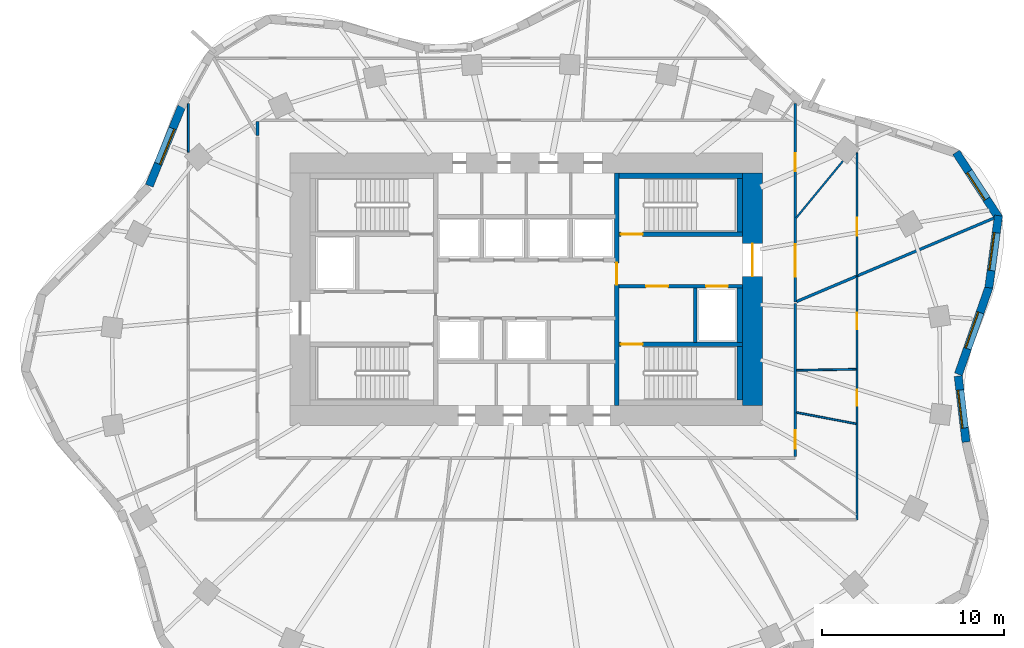
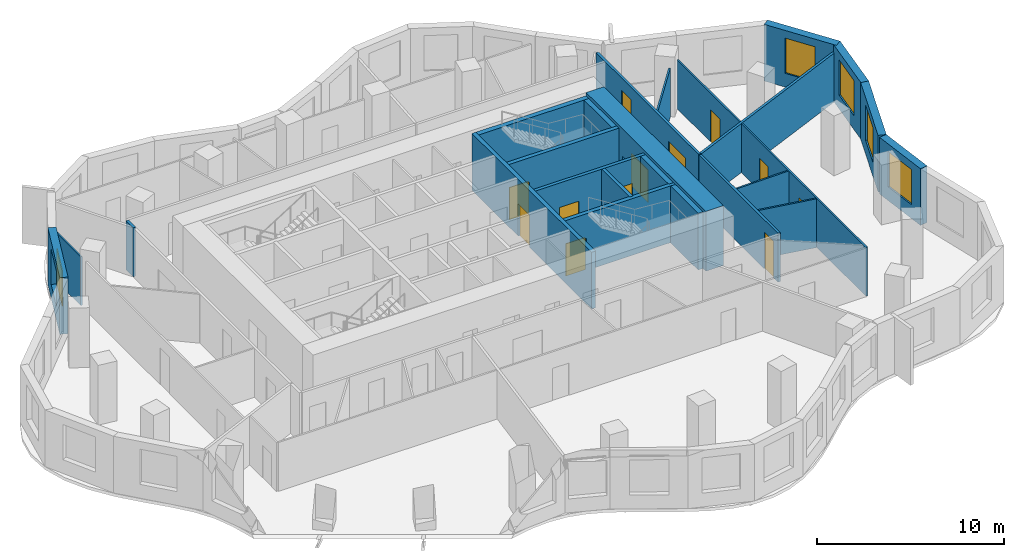
# One storey, part 6 of 9: 25 walls, 12 doors, 5 windows, 17 openings.
"""IFC4 building model written with IfcOpenShell, lengths in metres."""

from ifc_helpers import new_model, si_unit, direction, frame, frame_2d, origin, place, context, subcontext, project, spatial, rectangle, extrude, material, layer, layer_set, type_object, element, fill, save


model = new_model("IFC4")

# Units and contexts
model_context = context("Model", 3, precision=1e-05, world=origin(), true_north=direction((0.0, 1.0)))
body_context = subcontext(model_context, "Body", "Model", "MODEL_VIEW")
ifc_project = project(units=[si_unit("LENGTHUNIT", "METRE"), si_unit("AREAUNIT", "SQUARE_METRE"), si_unit("VOLUMEUNIT", "CUBIC_METRE"), si_unit("PLANEANGLEUNIT", "RADIAN"), si_unit("MASSUNIT", "GRAM", prefix="KILO")], contexts=[model_context])

# Site, building, storey
site_placement = place(None, origin())
site = spatial("IfcSite", under=ifc_project, at=site_placement, CompositionType="ELEMENT")
building_placement = place(site_placement, origin())
building = spatial("IfcBuilding", under=site, at=building_placement, Name="Rubra Terraces Tower", CompositionType="ELEMENT")
storey_placement = place(building_placement, frame((0.0, 0.0, 138.300048828125)))
storey = spatial("IfcBuildingStorey", under=building, at=storey_placement, Name="L33", CompositionType="ELEMENT", Elevation=138.300048828125)

# Wall, opening, window
ifc_material_1 = material(Name="Brick masonry red-brown", Category="masonry")
ifc_layer_1 = layer(ifc_material_1, 0.449951171875)
ifc_layer_set_1 = layer_set([ifc_layer_1], Name="Brick masonry red-brown")
wall_type_1 = type_object("IfcWallType", Name="Brick facade wall 450", PredefinedType="SOLIDWALL", material=ifc_layer_set_1)
wall_1_placement = place(storey_placement, frame((23.782470703125, -0.189208984375, 0.0), z_axis=(0.0, 0.0, 1.0), x_axis=(0.330794307703, 0.943702880144, 0.0)))
wall_1 = element("IfcWall", 1, at=wall_1_placement, inside=storey, type_object=wall_type_1, Name="Facade wall L33 bay 1", PredefinedType="SOLIDWALL", context=body_context, shape_type="SweptSolid", body=[
    extrude(rectangle(XDim=5.095458984375, YDim=0.449951171875, at=frame_2d((2.5478515625, 0.0))), origin(), (0.0, 0.0, 1.0), 3.699951171875),
])
opening_1_placement = place(wall_1_placement, frame((1.497802734375, 0.0, 0.89990234375)))
opening_1 = element("IfcOpeningElement", 2, at=opening_1_placement, cuts=wall_1, Name="Opening W1B", PredefinedType="OPENING", context=body_context, shape_type="SweptSolid", body=[
    extrude(rectangle(XDim=2.10009765625, YDim=2.300048828125, at=frame_2d((1.050048828125, 1.14990234375))), frame((0.0, 0.23486328125, 0.0), z_axis=(0.0, -1.0, 0.0), x_axis=(1.0, 0.0, 0.0)), (0.0, 0.0, 1.0), 0.469970703125),
])
ifc_material_2 = material(Name="Clear glass in aluminium frame", Category="aluminium")
window_type_1 = type_object("IfcWindowType", Name="Fixed deep-set window tall storey 2100 x 2300", PartitioningType="SINGLE_PANEL", PredefinedType="WINDOW", material=ifc_material_2)
window_1_placement = place(opening_1_placement, origin())
window_1 = element("IfcWindow", 3, at=window_1_placement, inside=storey, type_object=window_type_1, Name="Window L33 bay 1", OverallHeight=2.300048828125, OverallWidth=2.10009765625, PartitioningType="SINGLE_PANEL", PredefinedType="WINDOW", context=body_context, shape_type="SweptSolid", body=[
    extrude(rectangle(XDim=2.10009765625, YDim=2.300048828125, at=frame_2d((1.050048828125, 1.14990234375))), frame((0.0, 0.135009765625, 0.0), z_axis=(0.0, -1.0, 0.0), x_axis=(1.0, 0.0, 0.0)), (0.0, 0.0, 1.0), 0.06005859375),
])
fill(opening_1, window_1)

wall_2_placement = place(storey_placement, frame((25.457275390625, 4.57470703125, 0.0), z_axis=(0.0, 0.0, 1.0), x_axis=(0.132475046402, 0.991186340746, 0.0)))
wall_2 = element("IfcWall", 4, at=wall_2_placement, inside=storey, type_object=wall_type_1, Name="Facade wall L33 bay 2", PredefinedType="SOLIDWALL", context=body_context, shape_type="SweptSolid", body=[
    extrude(rectangle(XDim=4.006591796875, YDim=0.449951171875, at=frame_2d((2.00341796875, 0.0))), origin(), (0.0, 0.0, 1.0), 3.699951171875),
])
opening_2_placement = place(wall_2_placement, frame((0.953125, 0.0, 0.89990234375)))
opening_2 = element("IfcOpeningElement", 5, at=opening_2_placement, cuts=wall_2, Name="Opening W1B", PredefinedType="OPENING", context=body_context, shape_type="SweptSolid", body=[
    extrude(rectangle(XDim=2.10009765625, YDim=2.300048828125, at=frame_2d((1.050048828125, 1.14990234375))), frame((0.0, 0.23486328125, 0.0), z_axis=(0.0, -1.0, 0.0), x_axis=(1.0, 0.0, 0.0)), (0.0, 0.0, 1.0), 0.469970703125),
])
window_2_placement = place(opening_2_placement, origin())
window_2 = element("IfcWindow", 6, at=window_2_placement, inside=storey, type_object=window_type_1, Name="Window L33 bay 2", OverallHeight=2.300048828125, OverallWidth=2.10009765625, PartitioningType="SINGLE_PANEL", PredefinedType="WINDOW", context=body_context, shape_type="SweptSolid", body=[
    extrude(rectangle(XDim=2.10009765625, YDim=2.300048828125, at=frame_2d((1.050048828125, 1.14990234375))), frame((0.0, 0.135009765625, 0.0), z_axis=(0.0, -1.0, 0.0), x_axis=(1.0, 0.0, 0.0)), (0.0, 0.0, 1.0), 0.06005859375),
])
fill(opening_2, window_2)

wall_3_placement = place(storey_placement, frame((26.0224609375, 8.393310546875, 0.0), z_axis=(0.0, 0.0, 1.0), x_axis=(-0.545637310328, 0.838021435035, 0.0)))
wall_3 = element("IfcWall", 7, at=wall_3_placement, inside=storey, type_object=wall_type_1, Name="Facade wall L33 bay 3", PredefinedType="SOLIDWALL", context=body_context, shape_type="SweptSolid", body=[
    extrude(rectangle(XDim=4.336181640625, YDim=0.449951171875, at=frame_2d((2.16796875, 0.0))), origin(), (0.0, 0.0, 1.0), 3.699951171875),
])
opening_3_placement = place(wall_3_placement, frame((1.268310546875, 0.0, 0.89990234375)))
opening_3 = element("IfcOpeningElement", 8, at=opening_3_placement, cuts=wall_3, Name="Opening W6B", PredefinedType="OPENING", context=body_context, shape_type="SweptSolid", body=[
    extrude(rectangle(XDim=1.800048828125, YDim=2.300048828125, at=frame_2d((0.89990234375, 1.14990234375))), frame((0.0, 0.23486328125, 0.0), z_axis=(0.0, -1.0, 0.0), x_axis=(1.0, 0.0, 0.0)), (0.0, 0.0, 1.0), 0.469970703125),
])
window_type_2 = type_object("IfcWindowType", Name="Fixed deep-set window at wind fin tall storey 1800 x 2300", PartitioningType="SINGLE_PANEL", PredefinedType="WINDOW", material=ifc_material_2)
window_3_placement = place(opening_3_placement, origin())
window_3 = element("IfcWindow", 9, at=window_3_placement, inside=storey, type_object=window_type_2, Name="Window L33 bay 3", OverallHeight=2.300048828125, OverallWidth=1.800048828125, PartitioningType="SINGLE_PANEL", PredefinedType="WINDOW", context=body_context, shape_type="SweptSolid", body=[
    extrude(rectangle(XDim=1.800048828125, YDim=2.300048828125, at=frame_2d((0.89990234375, 1.14990234375))), frame((0.0, 0.135009765625, 0.0), z_axis=(0.0, -1.0, 0.0), x_axis=(1.0, 0.0, 0.0)), (0.0, 0.0, 1.0), 0.06005859375),
])
fill(opening_3, window_3)

wall_4_placement = place(storey_placement, frame((-18.97119140625, 14.548828125, 0.0), z_axis=(0.0, 0.0, 1.0), x_axis=(-0.378434936431, -0.925627894398, 0.0)))
wall_4 = element("IfcWall", 10, at=wall_4_placement, inside=storey, type_object=wall_type_1, Name="Facade wall L33 bay 17", PredefinedType="SOLIDWALL", context=body_context, shape_type="SweptSolid", body=[
    extrude(rectangle(XDim=4.70751953125, YDim=0.449951171875, at=frame_2d((2.353759765625, 0.0))), origin(), (0.0, 0.0, 1.0), 3.699951171875),
])
opening_4_placement = place(wall_4_placement, frame((1.3037109375, 0.0, 0.89990234375)))
opening_4 = element("IfcOpeningElement", 11, at=opening_4_placement, cuts=wall_4, Name="Opening W1B", PredefinedType="OPENING", context=body_context, shape_type="SweptSolid", body=[
    extrude(rectangle(XDim=2.10009765625, YDim=2.300048828125, at=frame_2d((1.050048828125, 1.14990234375))), frame((0.0, 0.23486328125, 0.0), z_axis=(0.0, -1.0, 0.0), x_axis=(1.0, 0.0, 0.0)), (0.0, 0.0, 1.0), 0.469970703125),
])
window_4_placement = place(opening_4_placement, origin())
window_4 = element("IfcWindow", 12, at=window_4_placement, inside=storey, type_object=window_type_1, Name="Window L33 bay 17", OverallHeight=2.300048828125, OverallWidth=2.10009765625, PartitioningType="SINGLE_PANEL", PredefinedType="WINDOW", context=body_context, shape_type="SweptSolid", body=[
    extrude(rectangle(XDim=2.10009765625, YDim=2.300048828125, at=frame_2d((1.050048828125, 1.14990234375))), frame((0.0, 0.135009765625, 0.0), z_axis=(0.0, -1.0, 0.0), x_axis=(1.0, 0.0, 0.0)), (0.0, 0.0, 1.0), 0.06005859375),
])
fill(opening_4, window_4)

wall_5_placement = place(storey_placement, frame((24.200927734375, -3.915283203125, 0.0), z_axis=(0.0, 0.0, 1.0), x_axis=(-0.117623597589, 0.993058250703, 0.0)))
wall_5 = element("IfcWall", 13, at=wall_5_placement, inside=storey, type_object=wall_type_1, Name="Facade wall L33 bay 40", PredefinedType="SOLIDWALL", context=body_context, shape_type="SweptSolid", body=[
    extrude(rectangle(XDim=3.6572265625, YDim=0.449951171875, at=frame_2d((1.82861328125, 0.0))), origin(), (0.0, 0.0, 1.0), 3.699951171875),
])
opening_5_placement = place(wall_5_placement, frame((0.77880859375, 0.0, 0.89990234375)))
opening_5 = element("IfcOpeningElement", 14, at=opening_5_placement, cuts=wall_5, Name="Opening W1B", PredefinedType="OPENING", context=body_context, shape_type="SweptSolid", body=[
    extrude(rectangle(XDim=2.10009765625, YDim=2.300048828125, at=frame_2d((1.050048828125, 1.14990234375))), frame((0.0, 0.23486328125, 0.0), z_axis=(0.0, -1.0, 0.0), x_axis=(1.0, 0.0, 0.0)), (0.0, 0.0, 1.0), 0.469970703125),
])
window_5_placement = place(opening_5_placement, origin())
window_5 = element("IfcWindow", 15, at=window_5_placement, inside=storey, type_object=window_type_1, Name="Window L33 bay 40", OverallHeight=2.300048828125, OverallWidth=2.10009765625, PartitioningType="SINGLE_PANEL", PredefinedType="WINDOW", context=body_context, shape_type="SweptSolid", body=[
    extrude(rectangle(XDim=2.10009765625, YDim=2.300048828125, at=frame_2d((1.050048828125, 1.14990234375))), frame((0.0, 0.135009765625, 0.0), z_axis=(0.0, -1.0, 0.0), x_axis=(1.0, 0.0, 0.0)), (0.0, 0.0, 1.0), 0.06005859375),
])
fill(opening_5, window_5)

# Wall, opening, door
ifc_material_3 = material(Name="Concrete C60", Category="concrete")
ifc_layer_2 = layer(ifc_material_3, 1.10009765625)
ifc_layer_set_2 = layer_set([ifc_layer_2], Name="Concrete C60")
wall_type_2 = type_object("IfcWallType", Name="CORE WALL 1100 C60", PredefinedType="SHEAR", material=ifc_layer_set_2)
wall_6_placement = place(storey_placement, frame((12.449951171875, -1.89990234375, 0.0), z_axis=(0.0, 0.0, 1.0), x_axis=(0.0, 1.0, 0.0)))
wall_6 = element("IfcWall", 16, at=wall_6_placement, inside=storey, type_object=wall_type_2, Name="CORE WALL E L33", PredefinedType="SHEAR", context=body_context, shape_type="SweptSolid", body=[
    extrude(rectangle(XDim=12.7998046875, YDim=1.10009765625, at=frame_2d((6.39990234375, 0.0))), origin(), (0.0, 0.0, 1.0), 3.89990234375),
])
opening_6_placement = place(wall_6_placement, frame((7.10009765625, 0.0, 0.0)))
opening_6 = element("IfcOpeningElement", 17, at=opening_6_placement, cuts=wall_6, Name="Opening L33.C02", PredefinedType="OPENING", context=body_context, shape_type="SweptSolid", body=[
    extrude(rectangle(XDim=1.800048828125, YDim=2.10009765625, at=frame_2d((0.89990234375, 1.050048828125))), frame((0.0, 0.56005859375, 0.0), z_axis=(0.0, -1.0, 0.0), x_axis=(1.0, 0.0, 0.0)), (0.0, 0.0, 1.0), 1.1201171875),
])
ifc_material_4 = material(Name="Painted steel", Category="steel")
door_type_1 = type_object("IfcDoorType", Name="Fire door 1800x2100 double", OperationType="NOTDEFINED", PredefinedType="DOOR", material=ifc_material_4)
door_1_placement = place(opening_6_placement, origin())
door_1 = element("IfcDoor", 18, at=door_1_placement, inside=storey, type_object=door_type_1, Name="Core entrance door FF2", OperationType="DOUBLE_DOOR_SINGLE_SWING", OverallHeight=2.10009765625, OverallWidth=1.800048828125, PredefinedType="DOOR", context=body_context, shape_type="SweptSolid", body=[
    extrude(rectangle(XDim=1.800048828125, YDim=2.10009765625, at=frame_2d((0.89990234375, 1.050048828125))), frame((0.0, 0.02490234375, 0.0), z_axis=(0.0, -1.0, 0.0), x_axis=(1.0, 0.0, 0.0)), (0.0, 0.0, 1.0), 0.050048828125),
])
fill(opening_6, door_1)

# Wall, openings, doors
ifc_material_5 = material(Name="Plasterboard on steel stud, mineral wool infill", Category="steel")
ifc_layer_3 = layer(ifc_material_5, 0.14990234375)
ifc_layer_set_3 = layer_set([ifc_layer_3], Name="Plasterboard on steel stud, mineral wool infill")
wall_type_3 = type_object("IfcWallType", Name="CORRIDOR PARTITION 150", PredefinedType="PARTITIONING", material=ifc_layer_set_3)
wall_7_placement = place(storey_placement, frame((14.800048828125, 3.78369140625, 0.0), z_axis=(0.0, 0.0, 1.0), x_axis=(0.0, 1.0, 0.0)))
wall_7 = element("IfcWall", 19, at=wall_7_placement, inside=storey, type_object=wall_type_3, Name="PARTITION", PredefinedType="PARTITIONING", context=body_context, shape_type="SweptSolid", body=[
    extrude(rectangle(XDim=10.943115234375, YDim=0.14990234375, at=frame_2d((5.4716796875, 0.0))), origin(), (0.0, 0.0, 1.0), 3.197998046875),
])
opening_7_placement = place(wall_7_placement, frame((1.386962890625, 0.0, 0.0)))
opening_7 = element("IfcOpeningElement", 20, at=opening_7_placement, cuts=wall_7, Name="Opening 33-101", PredefinedType="OPENING", context=body_context, shape_type="SweptSolid", body=[
    extrude(rectangle(XDim=1.800048828125, YDim=2.10009765625, at=frame_2d((0.89990234375, 1.050048828125))), frame((0.0, 0.0849609375, 0.0), z_axis=(0.0, -1.0, 0.0), x_axis=(1.0, 0.0, 0.0)), (0.0, 0.0, 1.0), 0.169921875),
])
opening_8_placement = place(wall_7_placement, frame((7.198974609375, 0.0, 0.0)))
opening_8 = element("IfcOpeningElement", 21, at=opening_8_placement, cuts=wall_7, Name="Opening 33-103", PredefinedType="OPENING", context=body_context, shape_type="SweptSolid", body=[
    extrude(rectangle(XDim=1.0, YDim=2.39990234375, at=frame_2d((0.5, 1.199951171875))), frame((0.0, 0.0849609375, 0.0), z_axis=(0.0, -1.0, 0.0), x_axis=(1.0, 0.0, 0.0)), (0.0, 0.0, 1.0), 0.169921875),
])
ifc_material_6 = material(Name="Glazed aluminium meeting door leaf", Category="aluminium")
door_type_2 = type_object("IfcDoorType", Name="MEETING ROOM GLAZED DOOR 1000 X 2400", OperationType="SINGLE_SWING_LEFT", PredefinedType="DOOR", material=ifc_material_6)
door_2_placement = place(opening_8_placement, origin())
door_2 = element("IfcDoor", 22, at=door_2_placement, inside=storey, type_object=door_type_2, Name="DOOR 33-103", OperationType="SINGLE_SWING_RIGHT", OverallHeight=2.39990234375, OverallWidth=1.0, PredefinedType="DOOR", context=body_context, shape_type="SweptSolid", body=[
    extrude(rectangle(XDim=1.0, YDim=2.39990234375, at=frame_2d((0.5, 1.199951171875))), frame((0.0, 0.02490234375, 0.0), z_axis=(0.0, -1.0, 0.0), x_axis=(1.0, 0.0, 0.0)), (0.0, 0.0, 1.0), 0.050048828125),
])
fill(opening_8, door_2)
ifc_material_7 = material(Name="Painted timber door leaf, double", Category="wood")
door_type_3 = type_object("IfcDoorType", Name="ROOM DOUBLE DOOR 1800 X 2100", OperationType="DOUBLE_DOOR_SINGLE_SWING", PredefinedType="DOOR", material=ifc_material_7)
door_3_placement = place(opening_7_placement, origin())
door_3 = element("IfcDoor", 23, at=door_3_placement, inside=storey, type_object=door_type_3, Name="DOOR 33-101", OperationType="DOUBLE_DOOR_SINGLE_SWING", OverallHeight=2.10009765625, OverallWidth=1.800048828125, PredefinedType="DOOR", context=body_context, shape_type="SweptSolid", body=[
    extrude(rectangle(XDim=1.800048828125, YDim=2.10009765625, at=frame_2d((0.89990234375, 1.050048828125))), frame((0.0, 0.02490234375, 0.0), z_axis=(0.0, -1.0, 0.0), x_axis=(1.0, 0.0, 0.0)), (0.0, 0.0, 1.0), 0.050048828125),
])
fill(opening_7, door_3)

# Wall
wall_8_placement = place(storey_placement, frame((-14.800048828125, 13.72509765625, 0.0), z_axis=(0.0, 0.0, 1.0), x_axis=(0.0, -1.0, 0.0)))
element("IfcWall", 24, at=wall_8_placement, inside=storey, type_object=wall_type_3, Name="PARTITION", PredefinedType="PARTITIONING", context=body_context, shape_type="SweptSolid", body=[
    extrude(rectangle(XDim=0.7685546875, YDim=0.14990234375, at=frame_2d((0.38427734375, 0.0))), origin(), (0.0, 0.0, 1.0), 3.197998046875),
])

# Wall, opening, door
wall_9_placement = place(storey_placement, frame((14.800048828125, -4.72509765625, 0.0), z_axis=(0.0, 0.0, 1.0), x_axis=(0.0, 1.0, 0.0)))
wall_9 = element("IfcWall", 25, at=wall_9_placement, inside=storey, type_object=wall_type_3, Name="PARTITION", PredefinedType="PARTITIONING", context=body_context, shape_type="SweptSolid", body=[
    extrude(rectangle(XDim=8.433837890625, YDim=0.14990234375, at=frame_2d((4.216796875, 0.0))), origin(), (0.0, 0.0, 1.0), 3.197998046875),
])
opening_9_placement = place(wall_9_placement, frame((0.449951171875, 0.0, 0.0)))
opening_9 = element("IfcOpeningElement", 26, at=opening_9_placement, cuts=wall_9, Name="Opening 33-121", PredefinedType="OPENING", context=body_context, shape_type="SweptSolid", body=[
    extrude(rectangle(XDim=1.0, YDim=2.39990234375, at=frame_2d((0.5, 1.199951171875))), frame((0.0, 0.0849609375, 0.0), z_axis=(0.0, -1.0, 0.0), x_axis=(1.0, 0.0, 0.0)), (0.0, 0.0, 1.0), 0.169921875),
])
door_4_placement = place(opening_9_placement, origin())
door_4 = element("IfcDoor", 27, at=door_4_placement, inside=storey, type_object=door_type_2, Name="DOOR 33-121", OperationType="SINGLE_SWING_RIGHT", OverallHeight=2.39990234375, OverallWidth=1.0, PredefinedType="DOOR", context=body_context, shape_type="SweptSolid", body=[
    extrude(rectangle(XDim=1.0, YDim=2.39990234375, at=frame_2d((0.5, 1.199951171875))), frame((0.0, 0.02490234375, 0.0), z_axis=(0.0, -1.0, 0.0), x_axis=(1.0, 0.0, 0.0)), (0.0, 0.0, 1.0), 0.050048828125),
])
fill(opening_9, door_4)

# Walls
ifc_material_8 = material(Name="Concrete C40", Category="concrete")
ifc_layer_4 = layer(ifc_material_8, 0.300048828125)
ifc_layer_set_4 = layer_set([ifc_layer_4], Name="Concrete C40")
wall_type_4 = type_object("IfcWallType", Name="Core lining wall 300 concrete", PredefinedType="SOLIDWALL", material=ifc_layer_set_4)
wall_10_placement = place(storey_placement, frame((11.89990234375, 10.75, 0.0), z_axis=(0.0, 0.0, 1.0), x_axis=(-1.0, 0.0, 0.0)))
element("IfcWall", 28, at=wall_10_placement, inside=storey, type_object=wall_type_4, Name="CORE LINING WALL L33", PredefinedType="SOLIDWALL", context=body_context, shape_type="SweptSolid", body=[
    extrude(rectangle(XDim=6.7998046875, YDim=0.300048828125, at=frame_2d((3.39990234375, 0.0))), origin(), (0.0, 0.0, 1.0), 3.699951171875),
])
wall_11_placement = place(storey_placement, frame((11.75, 10.60009765625, 0.0), z_axis=(0.0, 0.0, 1.0), x_axis=(0.0, -1.0, 0.0)))
element("IfcWall", 29, at=wall_11_placement, inside=storey, type_object=wall_type_4, Name="CORE LINING WALL L33", PredefinedType="SOLIDWALL", context=body_context, shape_type="SweptSolid", body=[
    extrude(rectangle(XDim=2.9501953125, YDim=0.300048828125, at=frame_2d((1.47509765625, 0.0))), origin(), (0.0, 0.0, 1.0), 3.699951171875),
])
wall_12_placement = place(storey_placement, frame((11.75, 4.550048828125, 0.0), z_axis=(0.0, 0.0, 1.0), x_axis=(0.0, -1.0, 0.0)))
element("IfcWall", 30, at=wall_12_placement, inside=storey, type_object=wall_type_4, Name="CORE LINING WALL L33", PredefinedType="SOLIDWALL", context=body_context, shape_type="SweptSolid", body=[
    extrude(rectangle(XDim=3.0, YDim=0.300048828125, at=frame_2d((1.5, 0.0))), origin(), (0.0, 0.0, 1.0), 3.699951171875),
])
wall_13_placement = place(storey_placement, frame((11.75, 1.35009765625, 0.0), z_axis=(0.0, 0.0, 1.0), x_axis=(0.0, -1.0, 0.0)))
element("IfcWall", 31, at=wall_13_placement, inside=storey, type_object=wall_type_4, Name="CORE LINING WALL L33", PredefinedType="SOLIDWALL", context=body_context, shape_type="SweptSolid", body=[
    extrude(rectangle(XDim=2.9501953125, YDim=0.300048828125, at=frame_2d((1.47509765625, 0.0))), origin(), (0.0, 0.0, 1.0), 3.699951171875),
])

# Wall, openings, doors
ifc_material_9 = material(Name="Concrete C30", Category="concrete")
ifc_layer_5 = layer(ifc_material_9, 0.199951171875)
ifc_layer_set_5 = layer_set([ifc_layer_5], Name="Concrete C30")
wall_type_5 = type_object("IfcWallType", Name="Core wall 200 concrete", PredefinedType="SOLIDWALL", material=ifc_layer_set_5)
wall_14_placement = place(storey_placement, frame((11.89990234375, 4.64990234375, 0.0), z_axis=(0.0, 0.0, 1.0), x_axis=(-1.0, 0.0, 0.0)))
wall_14 = element("IfcWall", 32, at=wall_14_placement, inside=storey, type_object=wall_type_5, Name="STAIR WALL L33", PredefinedType="SOLIDWALL", context=body_context, shape_type="SweptSolid", body=[
    extrude(rectangle(XDim=6.7998046875, YDim=0.199951171875, at=frame_2d((3.39990234375, 0.0))), origin(), (0.0, 0.0, 1.0), 3.699951171875),
])
opening_10_placement = place(wall_14_placement, frame((4.10009765625, 0.0, 0.0)))
opening_10 = element("IfcOpeningElement", 33, at=opening_10_placement, cuts=wall_14, Name="Opening L33.C06", PredefinedType="OPENING", context=body_context, shape_type="SweptSolid", body=[
    extrude(rectangle(XDim=1.199951171875, YDim=2.10009765625, at=frame_2d((0.60009765625, 1.050048828125))), frame((0.0, 0.10986328125, 0.0), z_axis=(0.0, -1.0, 0.0), x_axis=(1.0, 0.0, 0.0)), (0.0, 0.0, 1.0), 0.219970703125),
])
opening_11_placement = place(wall_14_placement, frame((0.800048828125, 0.0, 0.0)))
opening_11 = element("IfcOpeningElement", 34, at=opening_11_placement, cuts=wall_14, Name="Opening L33.C12", PredefinedType="OPENING", context=body_context, shape_type="SweptSolid", body=[
    extrude(rectangle(XDim=1.199951171875, YDim=2.10009765625, at=frame_2d((0.60009765625, 1.050048828125))), frame((0.0, 0.10986328125, 0.0), z_axis=(0.0, -1.0, 0.0), x_axis=(1.0, 0.0, 0.0)), (0.0, 0.0, 1.0), 0.219970703125),
])
door_type_4 = type_object("IfcDoorType", Name="Fire door 1200x2100 single", OperationType="NOTDEFINED", PredefinedType="DOOR", material=ifc_material_4)
door_5_placement = place(opening_10_placement, origin())
door_5 = element("IfcDoor", 35, at=door_5_placement, inside=storey, type_object=door_type_4, Name="Stair vestibule door S4", OperationType="SINGLE_SWING_RIGHT", OverallHeight=2.10009765625, OverallWidth=1.199951171875, PredefinedType="DOOR", context=body_context, shape_type="SweptSolid", body=[
    extrude(rectangle(XDim=1.199951171875, YDim=2.10009765625, at=frame_2d((0.60009765625, 1.050048828125))), frame((0.0, 0.02490234375, 0.0), z_axis=(0.0, -1.0, 0.0), x_axis=(1.0, 0.0, 0.0)), (0.0, 0.0, 1.0), 0.050048828125),
])
fill(opening_10, door_5)
ifc_material_10 = material(Name="Stainless steel", Category="steel")
door_type_5 = type_object("IfcDoorType", Name="Lift landing door 1200x2100", OperationType="NOTDEFINED", PredefinedType="DOOR", material=ifc_material_10)
door_6_placement = place(opening_11_placement, origin())
door_6 = element("IfcDoor", 36, at=door_6_placement, inside=storey, type_object=door_type_5, Name="Landing door FF2", OperationType="SLIDING_TO_RIGHT", OverallHeight=2.10009765625, OverallWidth=1.199951171875, PredefinedType="DOOR", context=body_context, shape_type="SweptSolid", body=[
    extrude(rectangle(XDim=1.199951171875, YDim=2.10009765625, at=frame_2d((0.60009765625, 1.050048828125))), frame((0.0, 0.02490234375, 0.0), z_axis=(0.0, -1.0, 0.0), x_axis=(1.0, 0.0, 0.0)), (0.0, 0.0, 1.0), 0.050048828125),
])
fill(opening_11, door_6)

# Wall
wall_15_placement = place(storey_placement, frame((9.300048828125, 4.550048828125, 0.0), z_axis=(0.0, 0.0, 1.0), x_axis=(0.0, -1.0, 0.0)))
element("IfcWall", 37, at=wall_15_placement, inside=storey, type_object=wall_type_5, Name="STAIR WALL L33", PredefinedType="SOLIDWALL", context=body_context, shape_type="SweptSolid", body=[
    extrude(rectangle(XDim=3.0, YDim=0.199951171875, at=frame_2d((1.5, 0.0))), origin(), (0.0, 0.0, 1.0), 3.699951171875),
])

# Wall, opening, door
ifc_material_11 = material(Name="Plasterboard on steel stud", Category="steel")
ifc_layer_6 = layer(ifc_material_11, 0.10009765625)
ifc_layer_set_6 = layer_set([ifc_layer_6], Name="Plasterboard on steel stud")
wall_type_6 = type_object("IfcWallType", Name="ROOM PARTITION 100", PredefinedType="PARTITIONING", material=ifc_layer_set_6)
wall_16_placement = place(storey_placement, frame((18.199951171875, 12.00146484375, 0.0), z_axis=(0.0, 0.0, 1.0), x_axis=(0.0, -1.0, 0.0)))
wall_16 = element("IfcWall", 38, at=wall_16_placement, inside=storey, type_object=wall_type_6, Name="PARTITION", PredefinedType="PARTITIONING", context=body_context, shape_type="SweptSolid", body=[
    extrude(rectangle(XDim=6.758544921875, YDim=0.10009765625, at=frame_2d((3.37939453125, 0.0))), origin(), (0.0, 0.0, 1.0), 3.183837890625),
])
opening_12_placement = place(wall_16_placement, frame((3.573974609375, 0.0, 0.0)))
opening_12 = element("IfcOpeningElement", 39, at=opening_12_placement, cuts=wall_16, Name="Opening 33-102", PredefinedType="OPENING", context=body_context, shape_type="SweptSolid", body=[
    extrude(rectangle(XDim=1.0, YDim=2.10009765625, at=frame_2d((0.5, 1.050048828125))), frame((0.0, 0.06005859375, 0.0), z_axis=(0.0, -1.0, 0.0), x_axis=(1.0, 0.0, 0.0)), (0.0, 0.0, 1.0), 0.1201171875),
])
ifc_material_12 = material(Name="Painted timber door leaf", Category="wood")
door_type_6 = type_object("IfcDoorType", Name="ROOM DOOR 1000 X 2100", OperationType="SINGLE_SWING_LEFT", PredefinedType="DOOR", material=ifc_material_12)
door_7_placement = place(opening_12_placement, origin())
door_7 = element("IfcDoor", 40, at=door_7_placement, inside=storey, type_object=door_type_6, Name="DOOR 33-102", OperationType="SINGLE_SWING_LEFT", OverallHeight=2.10009765625, OverallWidth=1.0, PredefinedType="DOOR", context=body_context, shape_type="SweptSolid", body=[
    extrude(rectangle(XDim=1.0, YDim=2.10009765625, at=frame_2d((0.5, 1.050048828125))), frame((0.0, 0.02490234375, 0.0), z_axis=(0.0, -1.0, 0.0), x_axis=(1.0, 0.0, 0.0)), (0.0, 0.0, 1.0), 0.050048828125),
])
fill(opening_12, door_7)

# Walls
wall_17_placement = place(storey_placement, frame((14.84765625, 8.415283203125, 0.0), z_axis=(0.0, 0.0, 1.0), x_axis=(0.63542004032, 0.77216667395, 0.0)))
element("IfcWall", 41, at=wall_17_placement, inside=storey, type_object=wall_type_6, Name="PARTITION", PredefinedType="PARTITIONING", context=body_context, shape_type="SweptSolid", body=[
    extrude(rectangle(XDim=4.052734375, YDim=0.10009765625, at=frame_2d((2.0263671875, 0.0))), origin(), (0.0, 0.0, 1.0), 3.183837890625),
])
wall_18_placement = place(storey_placement, frame((-18.60009765625, 12.036865234375, 0.0), z_axis=(0.0, 0.0, 1.0), x_axis=(0.0, 1.0, 0.0)))
element("IfcWall", 42, at=wall_18_placement, inside=storey, type_object=wall_type_6, Name="PARTITION", PredefinedType="PARTITIONING", context=body_context, shape_type="SweptSolid", body=[
    extrude(rectangle(XDim=2.672119140625, YDim=0.10009765625, at=frame_2d((1.3359375, 0.0))), origin(), (0.0, 0.0, 1.0), 3.183837890625),
])

# Wall, openings, doors
wall_19_placement = place(storey_placement, frame((18.199951171875, 5.199462890625, 0.0), z_axis=(0.0, 0.0, 1.0), x_axis=(0.0, -1.0, 0.0)))
wall_19 = element("IfcWall", 43, at=wall_19_placement, inside=storey, type_object=wall_type_6, Name="PARTITION", PredefinedType="PARTITIONING", context=body_context, shape_type="SweptSolid", body=[
    extrude(rectangle(XDim=13.3994140625, YDim=0.10009765625, at=frame_2d((6.69970703125, 0.0))), origin(), (0.0, 0.0, 1.0), 3.183837890625),
])
opening_13_placement = place(wall_19_placement, frame((6.22705078125, 0.0, 0.0)))
opening_13 = element("IfcOpeningElement", 44, at=opening_13_placement, cuts=wall_19, Name="Opening 33-122", PredefinedType="OPENING", context=body_context, shape_type="SweptSolid", body=[
    extrude(rectangle(XDim=0.89990234375, YDim=2.10009765625, at=frame_2d((0.449951171875, 1.050048828125))), frame((0.0, 0.06005859375, 0.0), z_axis=(0.0, -1.0, 0.0), x_axis=(1.0, 0.0, 0.0)), (0.0, 0.0, 1.0), 0.1201171875),
])
opening_14_placement = place(wall_19_placement, frame((2.007080078125, 0.0, 0.0)))
opening_14 = element("IfcOpeningElement", 45, at=opening_14_placement, cuts=wall_19, Name="Opening 33-123", PredefinedType="OPENING", context=body_context, shape_type="SweptSolid", body=[
    extrude(rectangle(XDim=0.89990234375, YDim=2.10009765625, at=frame_2d((0.449951171875, 1.050048828125))), frame((0.0, 0.06005859375, 0.0), z_axis=(0.0, -1.0, 0.0), x_axis=(1.0, 0.0, 0.0)), (0.0, 0.0, 1.0), 0.1201171875),
])
door_type_7 = type_object("IfcDoorType", Name="ROOM DOOR 900 X 2100", OperationType="SINGLE_SWING_LEFT", PredefinedType="DOOR", material=ifc_material_12)
door_8_placement = place(opening_13_placement, origin())
door_8 = element("IfcDoor", 46, at=door_8_placement, inside=storey, type_object=door_type_7, Name="DOOR 33-122", OperationType="SINGLE_SWING_LEFT", OverallHeight=2.10009765625, OverallWidth=0.89990234375, PredefinedType="DOOR", context=body_context, shape_type="SweptSolid", body=[
    extrude(rectangle(XDim=0.89990234375, YDim=2.10009765625, at=frame_2d((0.449951171875, 1.050048828125))), frame((0.0, 0.02490234375, 0.0), z_axis=(0.0, -1.0, 0.0), x_axis=(1.0, 0.0, 0.0)), (0.0, 0.0, 1.0), 0.050048828125),
])
fill(opening_13, door_8)
door_9_placement = place(opening_14_placement, origin())
door_9 = element("IfcDoor", 47, at=door_9_placement, inside=storey, type_object=door_type_7, Name="DOOR 33-123", OperationType="SINGLE_SWING_LEFT", OverallHeight=2.10009765625, OverallWidth=0.89990234375, PredefinedType="DOOR", context=body_context, shape_type="SweptSolid", body=[
    extrude(rectangle(XDim=0.89990234375, YDim=2.10009765625, at=frame_2d((0.449951171875, 1.050048828125))), frame((0.0, 0.02490234375, 0.0), z_axis=(0.0, -1.0, 0.0), x_axis=(1.0, 0.0, 0.0)), (0.0, 0.0, 1.0), 0.050048828125),
])
fill(opening_14, door_9)

# Walls
wall_20_placement = place(storey_placement, frame((14.873779296875, -2.289794921875, 0.0), z_axis=(0.0, 0.0, 1.0), x_axis=(0.982563379302, -0.185927958238, 0.0)))
element("IfcWall", 48, at=wall_20_placement, inside=storey, type_object=wall_type_6, Name="PARTITION", PredefinedType="PARTITIONING", context=body_context, shape_type="SweptSolid", body=[
    extrude(rectangle(XDim=3.335205078125, YDim=0.10009765625, at=frame_2d((1.66748046875, 0.0))), origin(), (0.0, 0.0, 1.0), 3.183837890625),
])
wall_21_placement = place(storey_placement, frame((14.875, 0.033203125, 0.0), z_axis=(0.0, 0.0, 1.0), x_axis=(0.999856843244, 0.016920195573, 0.0)))
element("IfcWall", 49, at=wall_21_placement, inside=storey, type_object=wall_type_6, Name="PARTITION", PredefinedType="PARTITIONING", context=body_context, shape_type="SweptSolid", body=[
    extrude(rectangle(XDim=3.275390625, YDim=0.10009765625, at=frame_2d((1.6376953125, 0.0))), origin(), (0.0, 0.0, 1.0), 3.183837890625),
])
ifc_layer_7 = layer(ifc_material_11, 0.14990234375)
ifc_layer_set_7 = layer_set([ifc_layer_7], Name="Plasterboard on steel stud")
wall_type_7 = type_object("IfcWallType", Name="ROOM PARTITION 150", PredefinedType="PARTITIONING", material=ifc_layer_set_7)
wall_22_placement = place(storey_placement, frame((25.738525390625, 8.408447265625, 0.0), z_axis=(0.0, 0.0, 1.0), x_axis=(-0.921062306608, -0.389415237692, 0.0)))
element("IfcWall", 50, at=wall_22_placement, inside=storey, type_object=wall_type_7, Name="PARTITION", PredefinedType="PARTITIONING", context=body_context, shape_type="SweptSolid", body=[
    extrude(rectangle(XDim=11.801025390625, YDim=0.14990234375, at=frame_2d((5.900390625, 0.0))), origin(), (0.0, 0.0, 1.0), 3.197998046875),
])

# Wall, opening, door
ifc_layer_8 = layer(ifc_material_8, 0.25)
ifc_layer_set_8 = layer_set([ifc_layer_8], Name="Concrete C40")
wall_type_8 = type_object("IfcWallType", Name="Stair enclosure wall 250 concrete", PredefinedType="SOLIDWALL", material=ifc_layer_set_8)
wall_23_placement = place(storey_placement, frame((11.89990234375, 7.52490234375, 0.0), z_axis=(0.0, 0.0, 1.0), x_axis=(-1.0, 0.0, 0.0)))
wall_23 = element("IfcWall", 51, at=wall_23_placement, inside=storey, type_object=wall_type_8, Name="STAIR WALL L33", PredefinedType="SOLIDWALL", context=body_context, shape_type="SweptSolid", body=[
    extrude(rectangle(XDim=6.7998046875, YDim=0.25, at=frame_2d((3.39990234375, 0.0))), origin(), (0.0, 0.0, 1.0), 3.699951171875),
])
opening_15_placement = place(wall_23_placement, frame((5.5, 0.0, 0.0)))
opening_15 = element("IfcOpeningElement", 52, at=opening_15_placement, cuts=wall_23, Name="Opening L33.C08", PredefinedType="OPENING", context=body_context, shape_type="SweptSolid", body=[
    extrude(rectangle(XDim=1.199951171875, YDim=2.10009765625, at=frame_2d((0.60009765625, 1.050048828125))), frame((0.0, 0.135009765625, 0.0), z_axis=(0.0, -1.0, 0.0), x_axis=(1.0, 0.0, 0.0)), (0.0, 0.0, 1.0), 0.27001953125),
])
door_10_placement = place(opening_15_placement, origin())
door_10 = element("IfcDoor", 53, at=door_10_placement, inside=storey, type_object=door_type_4, Name="Stair door S3", OperationType="SINGLE_SWING_RIGHT", OverallHeight=2.10009765625, OverallWidth=1.199951171875, PredefinedType="DOOR", context=body_context, shape_type="SweptSolid", body=[
    extrude(rectangle(XDim=1.199951171875, YDim=2.10009765625, at=frame_2d((0.60009765625, 1.050048828125))), frame((0.0, 0.02490234375, 0.0), z_axis=(0.0, -1.0, 0.0), x_axis=(1.0, 0.0, 0.0)), (0.0, 0.0, 1.0), 0.050048828125),
])
fill(opening_15, door_10)

wall_24_placement = place(storey_placement, frame((11.89990234375, 1.47509765625, 0.0), z_axis=(0.0, 0.0, 1.0), x_axis=(-1.0, 0.0, 0.0)))
wall_24 = element("IfcWall", 54, at=wall_24_placement, inside=storey, type_object=wall_type_8, Name="STAIR WALL L33", PredefinedType="SOLIDWALL", context=body_context, shape_type="SweptSolid", body=[
    extrude(rectangle(XDim=6.7998046875, YDim=0.25, at=frame_2d((3.39990234375, 0.0))), origin(), (0.0, 0.0, 1.0), 3.699951171875),
])
opening_16_placement = place(wall_24_placement, frame((5.5, 0.0, 0.0)))
opening_16 = element("IfcOpeningElement", 55, at=opening_16_placement, cuts=wall_24, Name="Opening L33.C10", PredefinedType="OPENING", context=body_context, shape_type="SweptSolid", body=[
    extrude(rectangle(XDim=1.199951171875, YDim=2.10009765625, at=frame_2d((0.60009765625, 1.050048828125))), frame((0.0, 0.135009765625, 0.0), z_axis=(0.0, -1.0, 0.0), x_axis=(1.0, 0.0, 0.0)), (0.0, 0.0, 1.0), 0.27001953125),
])
door_11_placement = place(opening_16_placement, origin())
door_11 = element("IfcDoor", 56, at=door_11_placement, inside=storey, type_object=door_type_4, Name="Stair door S4", OperationType="SINGLE_SWING_RIGHT", OverallHeight=2.10009765625, OverallWidth=1.199951171875, PredefinedType="DOOR", context=body_context, shape_type="SweptSolid", body=[
    extrude(rectangle(XDim=1.199951171875, YDim=2.10009765625, at=frame_2d((0.60009765625, 1.050048828125))), frame((0.0, 0.02490234375, 0.0), z_axis=(0.0, -1.0, 0.0), x_axis=(1.0, 0.0, 0.0)), (0.0, 0.0, 1.0), 0.050048828125),
])
fill(opening_16, door_11)

wall_25_placement = place(storey_placement, frame((4.97509765625, 10.89990234375, 0.0), z_axis=(0.0, 0.0, 1.0), x_axis=(0.0, -1.0, 0.0)))
wall_25 = element("IfcWall", 57, at=wall_25_placement, inside=storey, type_object=wall_type_8, Name="CORE LOBBY WALL L33", PredefinedType="SOLIDWALL", context=body_context, shape_type="SweptSolid", body=[
    extrude(rectangle(XDim=12.7998046875, YDim=0.25, at=frame_2d((6.39990234375, 0.0))), origin(), (0.0, 0.0, 1.0), 3.699951171875),
])
opening_17_placement = place(wall_25_placement, frame((4.949951171875, 0.0, 0.0)))
opening_17 = element("IfcOpeningElement", 58, at=opening_17_placement, cuts=wall_25, Name="Opening L33.C04", PredefinedType="OPENING", context=body_context, shape_type="SweptSolid", body=[
    extrude(rectangle(XDim=1.199951171875, YDim=2.10009765625, at=frame_2d((0.60009765625, 1.050048828125))), frame((0.0, 0.135009765625, 0.0), z_axis=(0.0, -1.0, 0.0), x_axis=(1.0, 0.0, 0.0)), (0.0, 0.0, 1.0), 0.27001953125),
])
door_12_placement = place(opening_17_placement, origin())
door_12 = element("IfcDoor", 59, at=door_12_placement, inside=storey, type_object=door_type_4, Name="Firefighting lobby door FF2", OperationType="SINGLE_SWING_RIGHT", OverallHeight=2.10009765625, OverallWidth=1.199951171875, PredefinedType="DOOR", context=body_context, shape_type="SweptSolid", body=[
    extrude(rectangle(XDim=1.199951171875, YDim=2.10009765625, at=frame_2d((0.60009765625, 1.050048828125))), frame((0.0, 0.02490234375, 0.0), z_axis=(0.0, -1.0, 0.0), x_axis=(1.0, 0.0, 0.0)), (0.0, 0.0, 1.0), 0.050048828125),
])
fill(opening_17, door_12)

save(model, "model.ifc")
